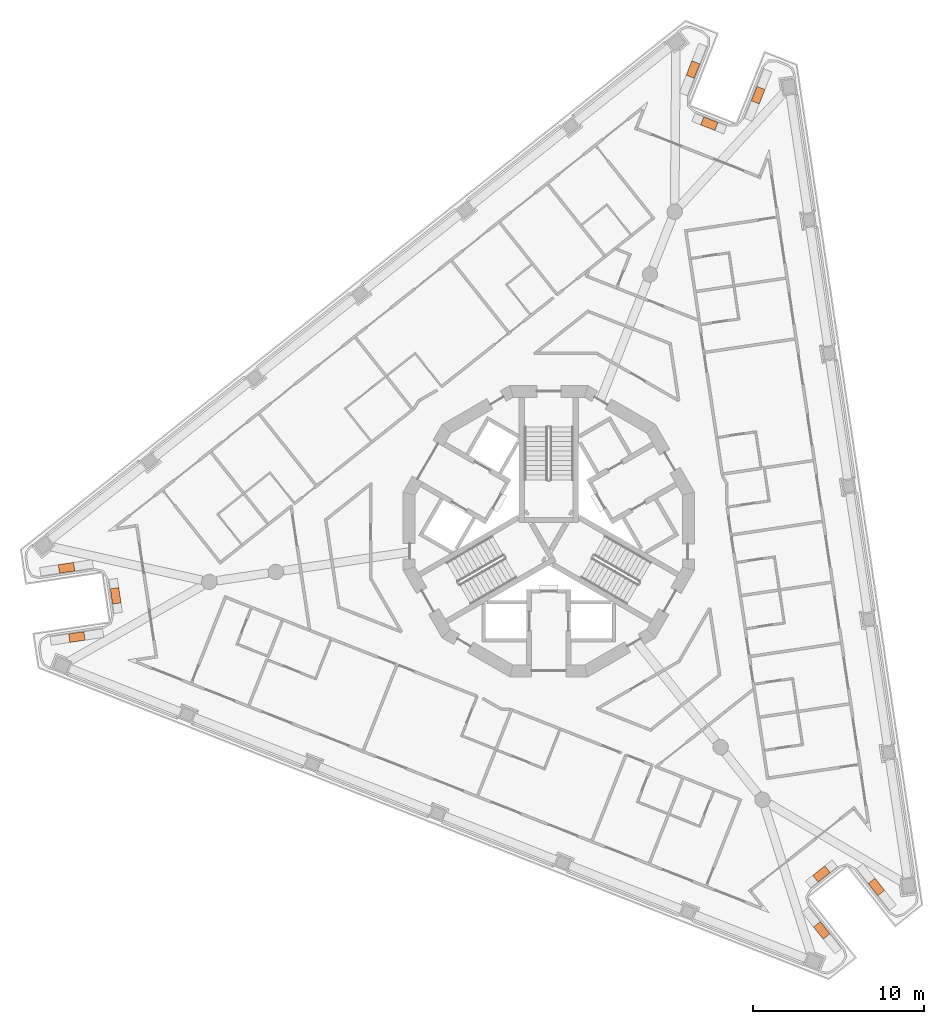
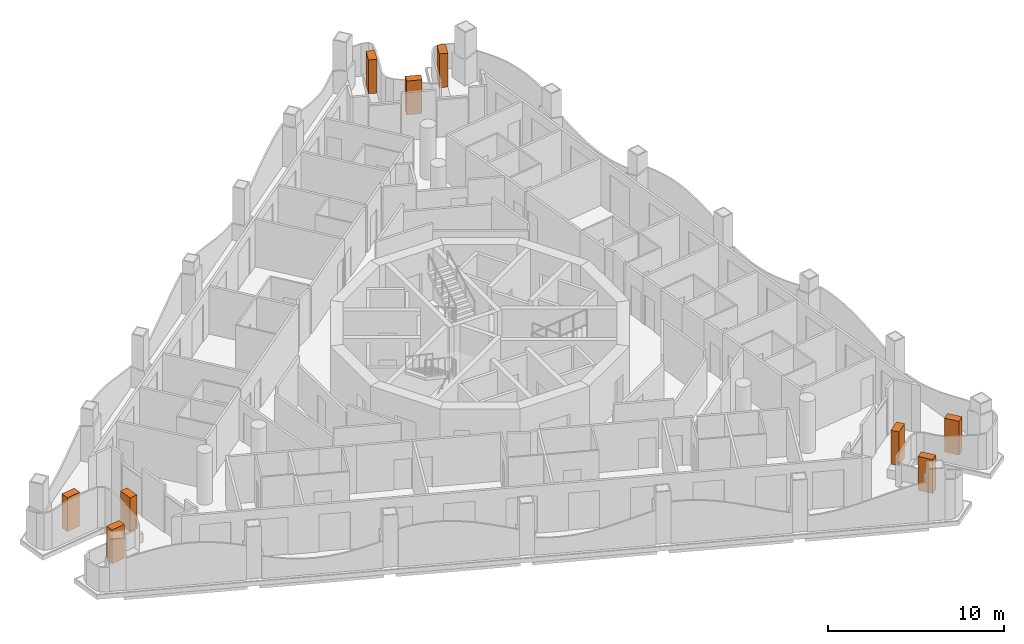
# One storey, part 16 of 16: 9 geographic elements.
"""IFC4 building model written with IfcOpenShell, lengths in metres."""

from ifc_helpers import new_model, si_unit, direction, frame, origin, origin_2d, place, context, subcontext, project, spatial, rectangle, extrude, element, save


model = new_model("IFC4")

# Units and contexts
model_context = context("Model", 3, precision=1e-05, world=origin(), true_north=direction((0.0, 1.0)))
body_context = subcontext(model_context, "Body", "Model", "MODEL_VIEW")
ifc_project = project(units=[si_unit("LENGTHUNIT", "METRE"), si_unit("AREAUNIT", "SQUARE_METRE"), si_unit("VOLUMEUNIT", "CUBIC_METRE"), si_unit("PLANEANGLEUNIT", "RADIAN"), si_unit("MASSUNIT", "GRAM", prefix="KILO")], contexts=[model_context])

# Site, building, storey
site_placement = place(None, origin())
site = spatial("IfcSite", under=ifc_project, at=site_placement, CompositionType="ELEMENT")
building_placement = place(site_placement, origin())
building = spatial("IfcBuilding", under=site, at=building_placement, Name="Trine Commons Tower", CompositionType="ELEMENT")
storey_placement = place(building_placement, frame((0.0, 0.0, 223.199951171875)))
storey = spatial("IfcBuildingStorey", under=building, at=storey_placement, Name="L58", CompositionType="ELEMENT", Elevation=223.199951171875)

# Geographic elements
for number, where, z_axis, x_axis, name in (
    (1, (52.4794921875, 56.324462890625, 0.60009765625), (0.0, 0.0, 1.0), (0.989018700917, 0.147790423361, 0.0), "Tree 1.1"),
    (2, (54.73974609375, 58.724853515625, 0.60009765625), (0.0, 0.0, 1.0), (-0.147812863445, 0.989015347404, 0.0), "Tree 2.1"),
    (3, (51.87646484375, 60.359619140625, 0.60009765625), (0.0, 0.0, 1.0), (-0.989014831433, -0.147816315759, 0.0), "Tree 3.1"),
    (4, (88.412109375, 89.421142578125, 0.60009765625), (0.0, 0.0, 1.0), (-0.366494731175, -0.930420126621, 0.0), "Tree 4.1"),
    (5, (89.360595703125, 86.263671875, 0.60009765625), (0.0, 0.0, 1.0), (0.930416928315, -0.366502850609, 0.0), "Tree 5.1"),
    (6, (92.2080078125, 87.92578125, 0.60009765625), (0.0, 0.0, 1.0), (0.366520713264, 0.930409891794, 0.0), "Tree 6.1"),
    (7, (99.1083984375, 41.75439453125, 0.60009765625), (0.0, 0.0, 1.0), (-0.622516002546, 0.782607070358, 0.0), "Tree 7.1"),
    (8, (95.899658203125, 42.511474609375, 0.60009765625), (0.0, 0.0, 1.0), (-0.782586426516, -0.622541954437, 0.0), "Tree 8.1"),
    (9, (95.915283203125, 39.214599609375, 0.60009765625), (0.0, 0.0, 1.0), (0.622516002546, -0.782607070358, 0.0), "Tree 9.1"),
):
    element("IfcGeographicElement", number, at=place(storey_placement, frame(where, z_axis=z_axis, x_axis=x_axis)), inside=storey, Name=name, ObjectType="TREE Tabebuia rosea", PredefinedType="USERDEFINED", context=body_context, shape_type="SweptSolid", body=[
        extrude(rectangle(XDim=0.89990234375, YDim=0.5, at=origin_2d()), origin(), (0.0, 0.0, 1.0), 2.35009765625),
    ])

save(model, "model.ifc")
